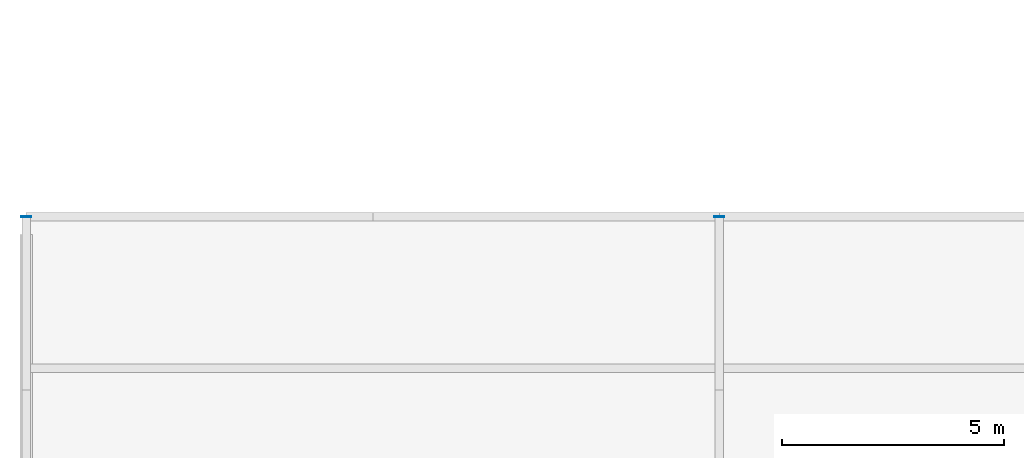
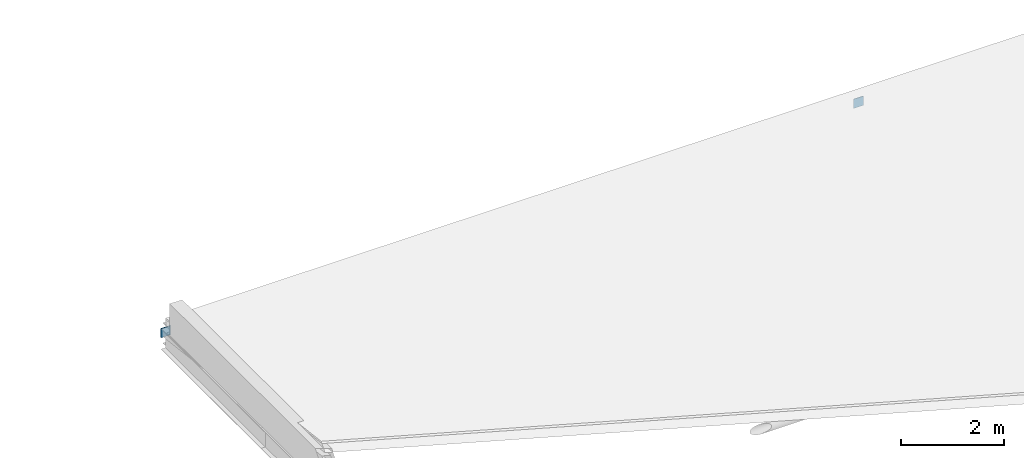
# One storey, part 14 of 21: 2 plates.
"""IFC4 building model written with IfcOpenShell, lengths in metres."""

from ifc_helpers import new_model, si_unit, direction, frame, origin, origin_2d, place, context, subcontext, project, spatial, rectangle, extrude, material, layer, layer_set, type_object, element, save


model = new_model("IFC4")

# Units and contexts
model_context = context("Model", 3, precision=1e-05, world=origin(), true_north=direction((0.0, 1.0)))
body_context = subcontext(model_context, "Body", "Model", "MODEL_VIEW")
ifc_project = project(units=[si_unit("LENGTHUNIT", "METRE"), si_unit("AREAUNIT", "SQUARE_METRE"), si_unit("VOLUMEUNIT", "CUBIC_METRE"), si_unit("PLANEANGLEUNIT", "RADIAN"), si_unit("MASSUNIT", "GRAM", prefix="KILO")], contexts=[model_context])

# Site, building, storey
site_placement = place(None, origin())
site = spatial("IfcSite", under=ifc_project, at=site_placement, CompositionType="ELEMENT")
building_placement = place(site_placement, origin())
building = spatial("IfcBuilding", under=site, at=building_placement, Name="Celorna Specialist Clinic", CompositionType="ELEMENT")
storey_placement = place(building_placement, frame((0.0, 0.0, 23.10009765625)))
storey = spatial("IfcBuildingStorey", under=building, at=storey_placement, Name="L05", CompositionType="ELEMENT", Elevation=23.10009765625)

# Plates
ifc_material = material(Name="Steel S355", Category="steel")
ifc_layer = layer(ifc_material, 0.01611328125, Name="Steel S355")
ifc_layer_set = layer_set([ifc_layer], Name="Steel S355")
plate_type = type_object("IfcPlateType", Name="EP-04", PredefinedType="SHEET", material=ifc_layer_set)
for number, where, z_axis, x_axis, name in (
    (1, (0.0, 27.300048828125, -0.31201171875), (0.0, 0.0, 1.0), (1.0, 0.0, 0.0), "Rafter chord cap plate ROOF-V5-NORTH"),
    (2, (15.60009765625, 27.300048828125, -0.31201171875), (0.0, 0.0, 1.0), (1.0, 0.0, 0.0), "Rafter chord cap plate ROOF-V5-NORTH"),
):
    element("IfcPlate", number, at=place(storey_placement, frame(where, z_axis=z_axis, x_axis=x_axis)), inside=storey, type_object=plate_type, Name=name, PredefinedType="SHEET", context=body_context, shape_type="SweptSolid", body=[
        extrude(rectangle(XDim=0.219970703125, YDim=0.013916015625, at=origin_2d()), origin(), (0.0, 0.0, 1.0), 0.219970703125),
    ])

save(model, "model.ifc")
